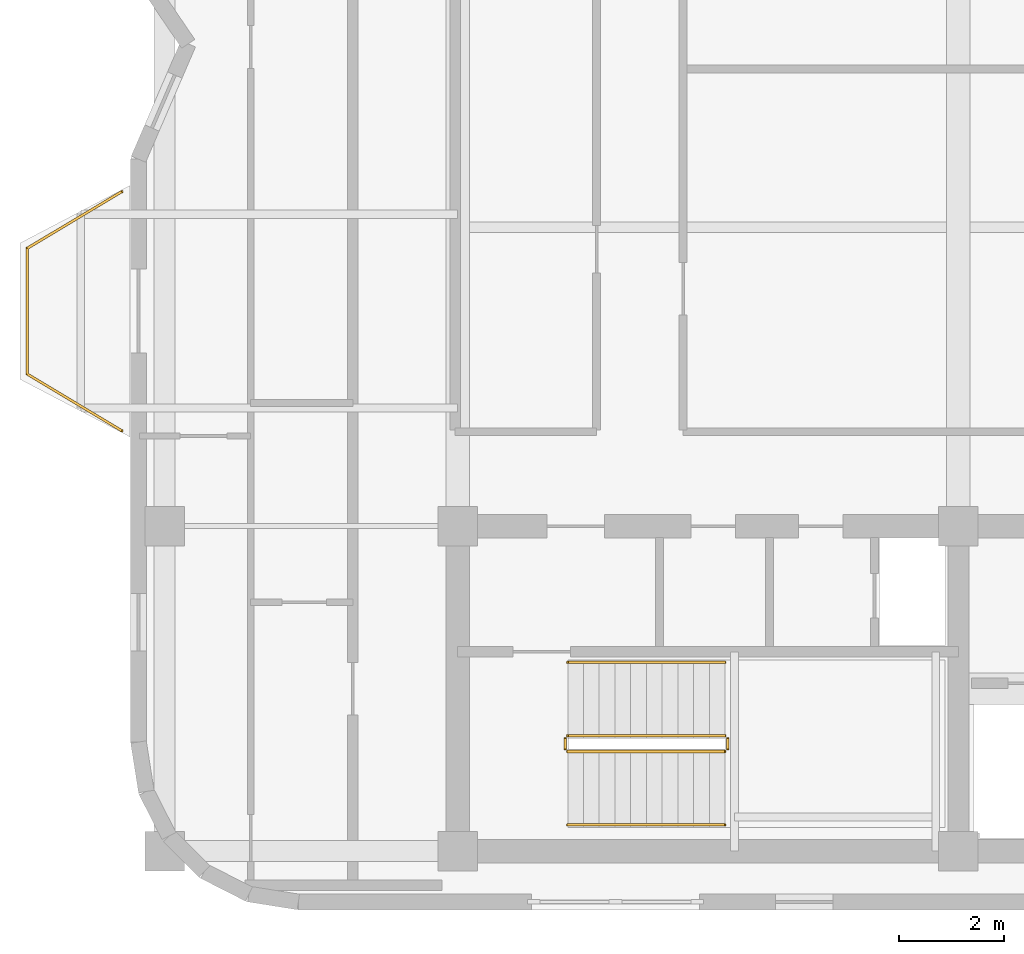
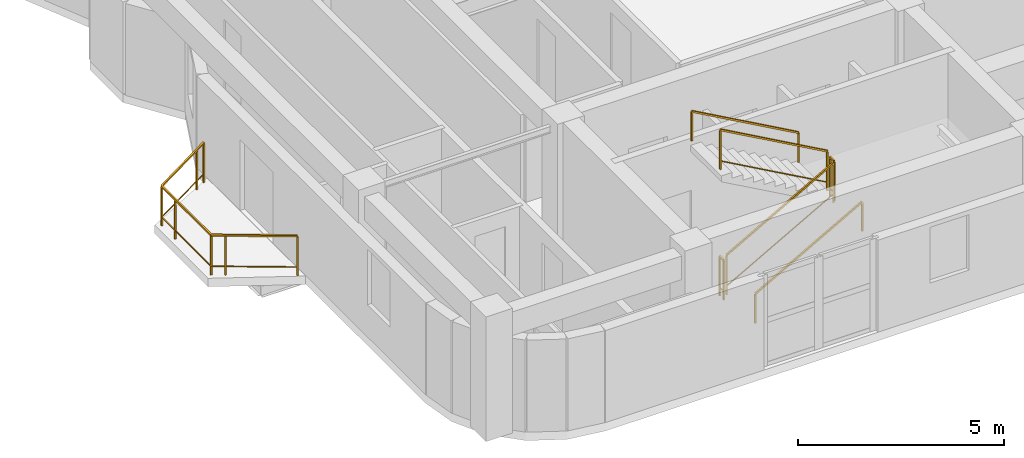
# One storey, part 10 of 11: 7 railings.
"""IFC4 building model written with IfcOpenShell, lengths in metres."""

from ifc_helpers import new_model, si_unit, direction, frame, origin, origin_2d, place, context, subcontext, project, spatial, rectangle, extrude, material, type_object, element, save


model = new_model("IFC4")

# Units and contexts
model_context = context("Model", 3, precision=1e-05, world=origin(), true_north=direction((0.0, 1.0)))
body_context = subcontext(model_context, "Body", "Model", "MODEL_VIEW")
ifc_project = project(units=[si_unit("LENGTHUNIT", "METRE"), si_unit("AREAUNIT", "SQUARE_METRE"), si_unit("VOLUMEUNIT", "CUBIC_METRE"), si_unit("PLANEANGLEUNIT", "RADIAN"), si_unit("MASSUNIT", "GRAM", prefix="KILO")], contexts=[model_context])

# Site, building, storey
site_placement = place(None, origin())
site = spatial("IfcSite", under=ifc_project, at=site_placement, CompositionType="ELEMENT")
building_placement = place(site_placement, origin())
building = spatial("IfcBuilding", under=site, at=building_placement, Name="Svetorya Sky Lyceum", CompositionType="ELEMENT")
storey_placement = place(building_placement, frame((0.0, 0.0, 289.800048828125)))
storey = spatial("IfcBuildingStorey", under=building, at=storey_placement, Name="L73", CompositionType="ELEMENT", Elevation=289.800048828125)

# Railings
ifc_material_1 = material(Name="Laminated safety glass and stainless AISI 316", Category="glass")
railing_type_1 = type_object("IfcRailingType", Name="RL-BAL-1200", PredefinedType="BALUSTRADE", material=ifc_material_1)
railing_1_placement = place(storey_placement, frame((19.18994140625, 18.6201171875, 0.0)))
element("IfcRailing", 1, at=railing_1_placement, inside=storey, type_object=railing_type_1, Name="L73 Balcony Balustrade BAL-W1", PredefinedType="BALUSTRADE", context=body_context, shape_type="SweptSolid", body=[
    extrude(rectangle(XDim=0.048095703125, YDim=0.048095703125, at=origin_2d()), frame((0.0, 0.0, 1.17578125), z_axis=(-0.85753397263, 0.514427337711, 0.0), x_axis=(-0.514427337711, -0.85753397263, 0.0)), (0.0, 0.0, 1.0), 2.09912109375),
    extrude(rectangle(XDim=0.02392578125, YDim=0.02392578125, at=origin_2d()), frame((0.0, 0.0, 0.25), z_axis=(-0.85753397263, 0.514427337711, 0.0), x_axis=(-0.514427337711, -0.85753397263, 0.0)), (0.0, 0.0, 1.0), 2.09912109375),
    extrude(rectangle(XDim=0.048095703125, YDim=0.048095703125, at=origin_2d()), frame((-1.800048828125, 1.079833984375, 1.17578125), z_axis=(0.0, 1.0, 0.0), x_axis=(-1.0, 0.0, 0.0)), (0.0, 0.0, 1.0), 2.400146484375),
    extrude(rectangle(XDim=0.02392578125, YDim=0.02392578125, at=origin_2d()), frame((-1.800048828125, 1.079833984375, 0.25), z_axis=(0.0, 1.0, 0.0), x_axis=(-1.0, 0.0, 0.0)), (0.0, 0.0, 1.0), 2.400146484375),
    extrude(rectangle(XDim=0.048095703125, YDim=0.048095703125, at=origin_2d()), frame((-1.800048828125, 3.47998046875, 1.17578125), z_axis=(0.85753397263, 0.514427337711, 0.0), x_axis=(-0.514427337711, 0.85753397263, 0.0)), (0.0, 0.0, 1.0), 2.09912109375),
    extrude(rectangle(XDim=0.02392578125, YDim=0.02392578125, at=origin_2d()), frame((-1.800048828125, 3.47998046875, 0.25), z_axis=(0.85753397263, 0.514427337711, 0.0), x_axis=(-0.514427337711, 0.85753397263, 0.0)), (0.0, 0.0, 1.0), 2.09912109375),
    extrude(rectangle(XDim=0.0419921875, YDim=0.0419921875, at=origin_2d()), origin(), (0.0, 0.0, 1.0), 1.15185546875),
    extrude(rectangle(XDim=0.0419921875, YDim=0.0419921875, at=origin_2d()), frame((-1.500732421875, 0.900146484375, 0.0)), (0.0, 0.0, 1.0), 1.15185546875),
    extrude(rectangle(XDim=0.0419921875, YDim=0.0419921875, at=origin_2d()), frame((-1.800048828125, 1.079833984375, 0.0)), (0.0, 0.0, 1.0), 1.15185546875),
    extrude(rectangle(XDim=0.0419921875, YDim=0.0419921875, at=origin_2d()), frame((-1.800048828125, 2.829833984375, 0.0)), (0.0, 0.0, 1.0), 1.15185546875),
    extrude(rectangle(XDim=0.0419921875, YDim=0.0419921875, at=origin_2d()), frame((-1.800048828125, 3.47998046875, 0.0)), (0.0, 0.0, 1.0), 1.15185546875),
    extrude(rectangle(XDim=0.0419921875, YDim=0.0419921875, at=origin_2d()), frame((-0.29931640625, 4.380126953125, 0.0)), (0.0, 0.0, 1.0), 1.15185546875),
    extrude(rectangle(XDim=0.0419921875, YDim=0.0419921875, at=origin_2d()), frame((0.0, 4.559814453125, 0.0)), (0.0, 0.0, 1.0), 1.15185546875),
])
ifc_material_2 = material(Name="Painted galvanized stair well guard")
railing_type_2 = type_object("IfcRailingType", Name="RL-STR-GUARD-1200", PredefinedType="GUARDRAIL", material=ifc_material_2)
railing_2_placement = place(storey_placement, frame((27.699951171875, 12.5, 0.168212890625)))
element("IfcRailing", 2, at=railing_2_placement, inside=storey, type_object=railing_type_2, Name="L73 ST-S stair guard 1", PredefinedType="GUARDRAIL", context=body_context, shape_type="SweptSolid", body=[
    extrude(rectangle(XDim=0.048095703125, YDim=0.048095703125, at=origin_2d()), frame((0.0, 0.0, 1.17578125), z_axis=(0.872302573547, 0.0, 0.488966481656), x_axis=(0.0, 1.0, 0.0)), (0.0, 0.0, 1.0), 3.439208984375),
    extrude(rectangle(XDim=0.02392578125, YDim=0.02392578125, at=origin_2d()), frame((0.0, 0.0, 0.25), z_axis=(0.872302573547, 0.0, 0.488966481656), x_axis=(0.0, 1.0, 0.0)), (0.0, 0.0, 1.0), 3.439208984375),
    extrude(rectangle(XDim=0.0419921875, YDim=0.0419921875, at=origin_2d()), origin(), (0.0, 0.0, 1.0), 1.15185546875),
    extrude(rectangle(XDim=0.0419921875, YDim=0.0419921875, at=origin_2d()), frame((3.0, 0.0, 1.681640625)), (0.0, 0.0, 1.0), 1.15185546875),
])
railing_3_placement = place(storey_placement, frame((30.75, 12.550048828125, 1.849853515625)))
element("IfcRailing", 3, at=railing_3_placement, inside=storey, type_object=railing_type_2, Name="L73 ST-S stair guard 2", PredefinedType="GUARDRAIL", context=body_context, shape_type="SweptSolid", body=[
    extrude(rectangle(XDim=0.048095703125, YDim=0.048095703125, at=origin_2d()), frame((0.0, 0.0, 1.17578125), z_axis=(0.0, 1.0, 0.0), x_axis=(-1.0, 0.0, 0.0)), (0.0, 0.0, 1.0), 0.199951171875),
    extrude(rectangle(XDim=0.02392578125, YDim=0.02392578125, at=origin_2d()), frame((0.0, 0.0, 0.25), z_axis=(0.0, 1.0, 0.0), x_axis=(-1.0, 0.0, 0.0)), (0.0, 0.0, 1.0), 0.199951171875),
    extrude(rectangle(XDim=0.0419921875, YDim=0.0419921875, at=origin_2d()), origin(), (0.0, 0.0, 1.0), 1.15185546875),
    extrude(rectangle(XDim=0.0419921875, YDim=0.0419921875, at=origin_2d()), frame((0.0, 0.199951171875, 0.0)), (0.0, 0.0, 1.0), 1.15185546875),
])
railing_4_placement = place(storey_placement, frame((30.699951171875, 12.800048828125, 2.01806640625)))
element("IfcRailing", 4, at=railing_4_placement, inside=storey, type_object=railing_type_2, Name="L73 ST-S stair guard 3", PredefinedType="GUARDRAIL", context=body_context, shape_type="SweptSolid", body=[
    extrude(rectangle(XDim=0.048095703125, YDim=0.048095703125, at=origin_2d()), frame((0.0, 0.0, 1.17578125), z_axis=(-0.872272294576, 0.0, 0.489020494575), x_axis=(0.0, -1.0, 0.0)), (0.0, 0.0, 1.0), 3.439208984375),
    extrude(rectangle(XDim=0.02392578125, YDim=0.02392578125, at=origin_2d()), frame((0.0, 0.0, 0.25), z_axis=(-0.872272294576, 0.0, 0.489020494575), x_axis=(0.0, -1.0, 0.0)), (0.0, 0.0, 1.0), 3.439208984375),
    extrude(rectangle(XDim=0.0419921875, YDim=0.0419921875, at=origin_2d()), origin(), (0.0, 0.0, 1.0), 1.15185546875),
    extrude(rectangle(XDim=0.0419921875, YDim=0.0419921875, at=origin_2d()), frame((-3.0, 0.0, 1.681884765625)), (0.0, 0.0, 1.0), 1.15185546875),
])
railing_5_placement = place(storey_placement, frame((27.64990234375, 12.550048828125, 0.0)))
element("IfcRailing", 5, at=railing_5_placement, inside=storey, type_object=railing_type_2, Name="L73 ST-S stair guard 4", PredefinedType="GUARDRAIL", context=body_context, shape_type="SweptSolid", body=[
    extrude(rectangle(XDim=0.048095703125, YDim=0.048095703125, at=origin_2d()), frame((0.0, 0.0, 1.17578125), z_axis=(0.0, 1.0, 0.0), x_axis=(-1.0, 0.0, 0.0)), (0.0, 0.0, 1.0), 0.199951171875),
    extrude(rectangle(XDim=0.02392578125, YDim=0.02392578125, at=origin_2d()), frame((0.0, 0.0, 0.25), z_axis=(0.0, 1.0, 0.0), x_axis=(-1.0, 0.0, 0.0)), (0.0, 0.0, 1.0), 0.199951171875),
    extrude(rectangle(XDim=0.0419921875, YDim=0.0419921875, at=origin_2d()), origin(), (0.0, 0.0, 1.0), 1.15185546875),
    extrude(rectangle(XDim=0.0419921875, YDim=0.0419921875, at=origin_2d()), frame((0.0, 0.199951171875, 0.0)), (0.0, 0.0, 1.0), 1.15185546875),
])
ifc_material_3 = material(Name="Brushed stainless AISI 304 stair handrail")
railing_type_3 = type_object("IfcRailingType", Name="RL-STR-HAND-920", PredefinedType="HANDRAIL", material=ifc_material_3)
railing_6_placement = place(storey_placement, frame((27.699951171875, 11.10009765625, 0.168212890625)))
element("IfcRailing", 6, at=railing_6_placement, inside=storey, type_object=railing_type_3, Name="L73 ST-S stair handrail 1", PredefinedType="HANDRAIL", context=body_context, shape_type="SweptSolid", body=[
    extrude(rectangle(XDim=0.048095703125, YDim=0.048095703125, at=origin_2d()), frame((0.0, 0.0, 0.8759765625), z_axis=(0.872302573547, 0.0, 0.488966481656), x_axis=(0.0, 1.0, 0.0)), (0.0, 0.0, 1.0), 3.439208984375),
    extrude(rectangle(XDim=0.0419921875, YDim=0.0419921875, at=origin_2d()), origin(), (0.0, 0.0, 1.0), 0.851806640625),
    extrude(rectangle(XDim=0.0419921875, YDim=0.0419921875, at=origin_2d()), frame((3.0, 0.0, 1.681640625)), (0.0, 0.0, 1.0), 0.851806640625),
])
railing_7_placement = place(storey_placement, frame((30.699951171875, 14.199951171875, 2.01806640625)))
element("IfcRailing", 7, at=railing_7_placement, inside=storey, type_object=railing_type_3, Name="L73 ST-S stair handrail 2", PredefinedType="HANDRAIL", context=body_context, shape_type="SweptSolid", body=[
    extrude(rectangle(XDim=0.048095703125, YDim=0.048095703125, at=origin_2d()), frame((0.0, 0.0, 0.8759765625), z_axis=(-0.872272294576, 0.0, 0.489020494575), x_axis=(0.0, -1.0, 0.0)), (0.0, 0.0, 1.0), 3.439208984375),
    extrude(rectangle(XDim=0.0419921875, YDim=0.0419921875, at=origin_2d()), origin(), (0.0, 0.0, 1.0), 0.851806640625),
    extrude(rectangle(XDim=0.0419921875, YDim=0.0419921875, at=origin_2d()), frame((-3.0, 0.0, 1.681884765625)), (0.0, 0.0, 1.0), 0.851806640625),
])

save(model, "model.ifc")
